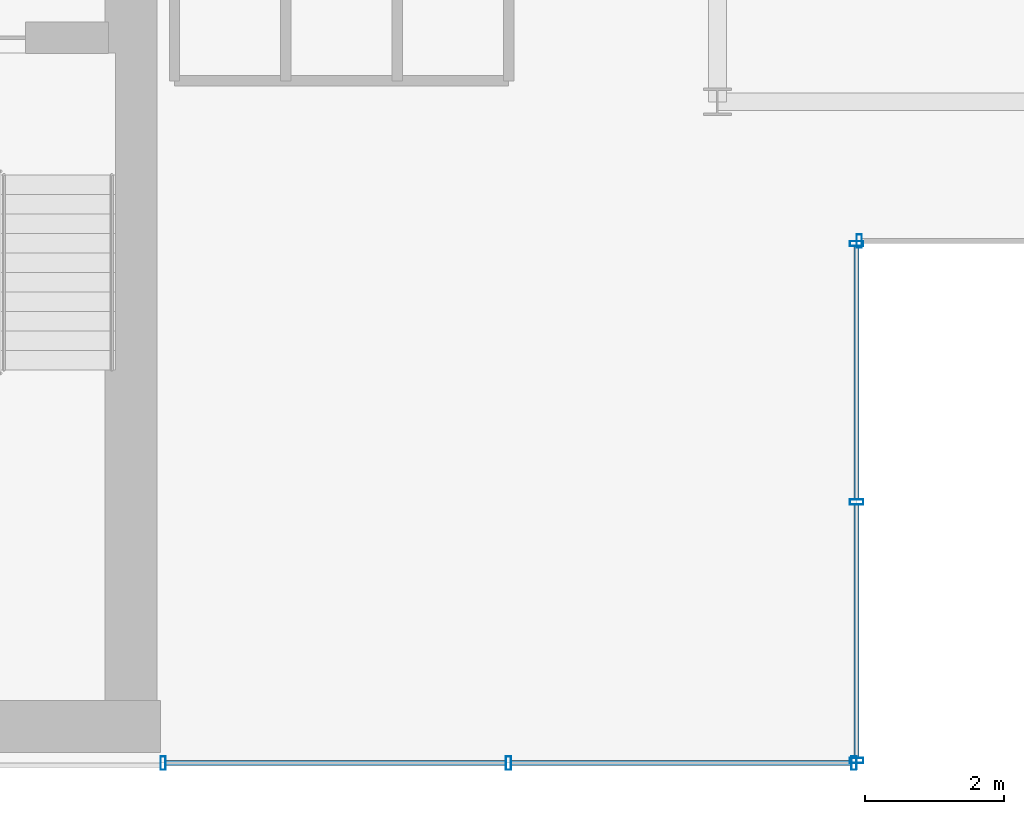
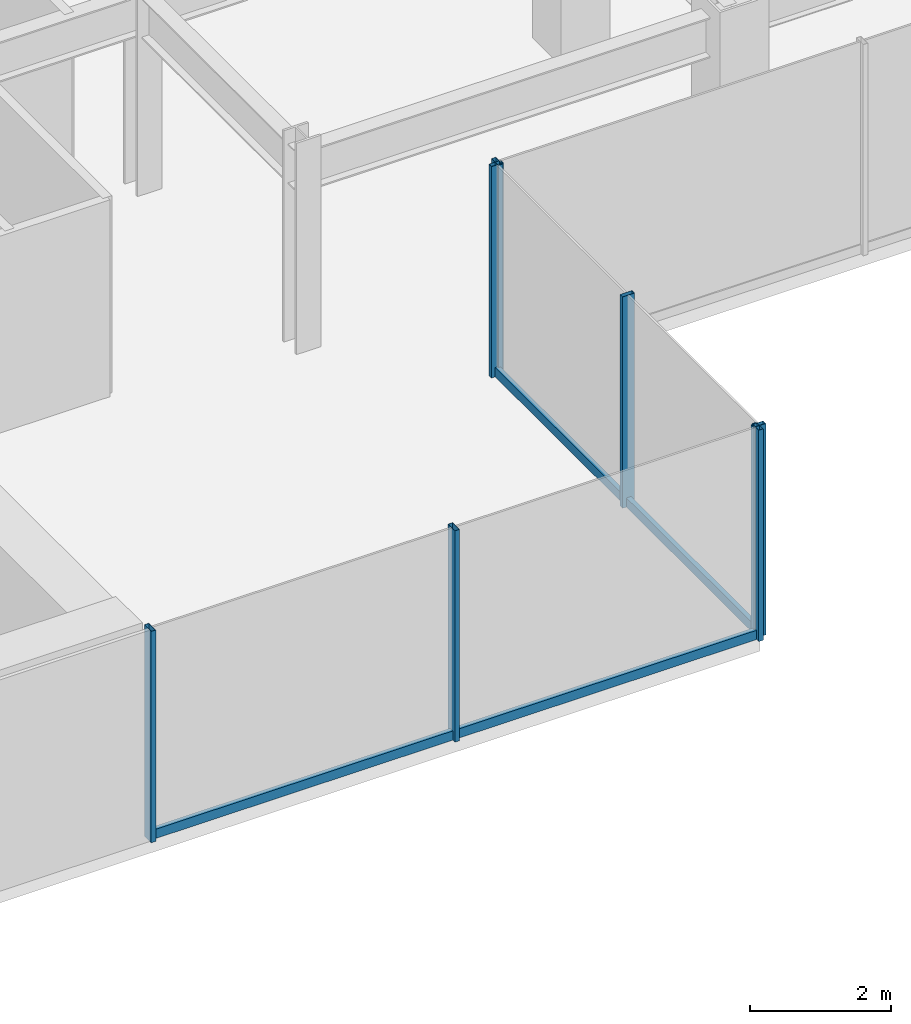
# One storey, part 8 of 26: 11 members, 3 elements without a shape of their own.
"""IFC4 building model written with IfcOpenShell, lengths in metres."""

import ifcopenshell
import ifcopenshell.guid

model = None  # the IFC model being written
_history = None  # IfcOwnerHistory: only IFC2X3 demands one
_inside = {}  # id of a spatial element -> (the spatial element, [elements in it])
_under = {}  # id of a project, library or spatial element -> (it, [spatial elements below it])
_declared = {}  # id of a project -> (the project, [libraries it declares])
_typed = {}  # id of a type object -> (the type object, [elements of that type])
_made_of = {}  # id of a material, layer set ... -> (it, [elements and type objects made of it])


def new_model(schema):
    """Start an empty IFC model of exactly this schema.

    Asked for "IFC4X3", IfcOpenShell would pick the latest addendum, in which some entities
    have other attributes; the version numbers below select the first issue.
    IFC2X3 requires an IfcOwnerHistory on every rooted entity: one is made here for all.
    """
    global model, _history
    if schema == "IFC4X3":
        model = ifcopenshell.file(schema_version=(4, 3, 0, 0))
    else:
        model = ifcopenshell.file(schema=schema)
    _inside.clear()
    _under.clear()
    _declared.clear()
    _typed.clear()
    _made_of.clear()
    _history = None
    if model.schema == "IFC2X3":
        org = make("IfcOrganization", Name="unknown")
        user = make(
            "IfcPersonAndOrganization",
            ThePerson=make("IfcPerson", FamilyName="unknown"),
            TheOrganization=org,
        )
        app = make(
            "IfcApplication",
            ApplicationDeveloper=org,
            Version="unknown",
            ApplicationFullName="unknown",
            ApplicationIdentifier="unknown",
        )
        _history = make(
            "IfcOwnerHistory",
            OwningUser=user,
            OwningApplication=app,
            ChangeAction="ADDED",
            CreationDate=0,
        )
    return model


def make(cls, **values):
    """One entity of the class cls with the attributes given. An attribute that is None is left unset."""
    return model.create_entity(
        cls, **{name: value for name, value in values.items() if value is not None}
    )


def rooted(cls, **values):
    """An entity with a GlobalId (a new one), such as an element, a storey or a relation."""
    return make(cls, GlobalId=ifcopenshell.guid.new(), OwnerHistory=_history, **values)


def si_unit(unit_type, name, prefix=None):
    """IfcSIUnit, for example si_unit("LENGTHUNIT", "METRE", prefix="MILLI")."""
    return make("IfcSIUnit", UnitType=unit_type, Prefix=prefix, Name=name)


def derived_unit(unit_type, elements):
    """IfcDerivedUnit: a product of units, each with its exponent."""
    return make(
        "IfcDerivedUnit",
        Elements=[
            make("IfcDerivedUnitElement", Unit=unit, Exponent=power)
            for unit, power in elements
        ],
        UnitType=unit_type,
    )


def assignment(units):
    """IfcUnitAssignment: the units of a project."""
    return None if units is None else make("IfcUnitAssignment", Units=units)


def point(xyz):
    """IfcCartesianPoint."""
    return None if xyz is None else make("IfcCartesianPoint", Coordinates=xyz)


def direction(xyz):
    """IfcDirection."""
    return None if xyz is None else make("IfcDirection", DirectionRatios=xyz)


def frame(location, z_axis=None, x_axis=None):
    """IfcAxis2Placement3D, a coordinate frame: its origin and axes. An axis left out is left unset."""
    return make(
        "IfcAxis2Placement3D",
        Location=point(location),
        Axis=direction(z_axis),
        RefDirection=direction(x_axis),
    )


def frame_2d(location, x_axis=None):
    """IfcAxis2Placement2D, a coordinate frame in the plane: its origin and x axis."""
    return make(
        "IfcAxis2Placement2D", Location=point(location), RefDirection=direction(x_axis)
    )


def origin():
    """The frame at (0, 0, 0) with its axes left unset."""
    return frame((0.0, 0.0, 0.0))


def origin_2d():
    """The frame at (0, 0) in the plane with its x axis left unset."""
    return frame_2d((0.0, 0.0))


def place(relative_to, where):
    """IfcLocalPlacement: puts the frame where relative to a parent placement (None: the world)."""
    return make(
        "IfcLocalPlacement", PlacementRelTo=relative_to, RelativePlacement=where
    )


def context(
    kind, dimensions, precision=None, world=None, true_north=None, identifier=None
):
    """IfcGeometricRepresentationContext, for example the 3D "Model" context."""
    return make(
        "IfcGeometricRepresentationContext",
        ContextIdentifier=identifier,
        ContextType=kind,
        CoordinateSpaceDimension=dimensions,
        Precision=precision,
        WorldCoordinateSystem=world,
        TrueNorth=true_north,
    )


def subcontext(parent, identifier, kind, view, scale=None):
    """IfcGeometricRepresentationSubContext, for example "Body" below "Model"."""
    return make(
        "IfcGeometricRepresentationSubContext",
        ContextIdentifier=identifier,
        ContextType=kind,
        ParentContext=parent,
        TargetScale=scale,
        TargetView=view,
    )


def project(units=None, contexts=None):
    """IfcProject with its units and contexts."""
    return rooted(
        "IfcProject",
        Name="project",
        RepresentationContexts=contexts,
        UnitsInContext=assignment(units),
    )


def spatial(cls, under=None, at=None, **own):
    """A site, building, storey or space (cls), placed at a placement, below another one or the project."""
    s = rooted(cls, ObjectPlacement=at, **own)
    if under is not None:
        _under.setdefault(under.id(), (under, []))[1].append(s)
    return s


def profile(cls, at=None, kind="AREA", **sizes):
    """A parametric profile (cls). Its sizes go by their IFC names, for example OverallWidth=200.0."""
    return make(cls, ProfileType=kind, Position=at, **sizes)


def hollow_rectangle(**sizes):
    """IfcRectangleHollowProfileDef."""
    return profile("IfcRectangleHollowProfileDef", **sizes)


def extrude(swept, where, along, depth):
    """IfcExtrudedAreaSolid: the profile swept, set in the frame where, extruded along a direction by depth."""
    return make(
        "IfcExtrudedAreaSolid",
        SweptArea=swept,
        Position=where,
        ExtrudedDirection=direction(along),
        Depth=depth,
    )


def shape(context_of_items, identifier, shape_type, items):
    """IfcShapeRepresentation: the items that make up one representation, for example the "Body"."""
    return make(
        "IfcShapeRepresentation",
        ContextOfItems=context_of_items,
        RepresentationIdentifier=identifier,
        RepresentationType=shape_type,
        Items=items,
    )


def source(mapping_origin, context_of_items, identifier, shape_type, items):
    """IfcRepresentationMap: a shape defined once, which mapped items show again and again."""
    return make(
        "IfcRepresentationMap",
        MappingOrigin=mapping_origin,
        MappedRepresentation=shape(context_of_items, identifier, shape_type, items),
    )


def transform(
    local_origin,
    x_axis=None,
    y_axis=None,
    z_axis=None,
    scale=None,
    scale2=None,
    scale3=None,
    uniform=True,
):
    """IfcCartesianTransformationOperator3D, or its non-uniform kind. x_axis, y_axis, z_axis: its Axis1, 2, 3."""
    if uniform:
        return make(
            "IfcCartesianTransformationOperator3D",
            Axis1=direction(x_axis),
            Axis2=direction(y_axis),
            LocalOrigin=point(local_origin),
            Scale=scale,
            Axis3=direction(z_axis),
        )
    return make(
        "IfcCartesianTransformationOperator3DnonUniform",
        Axis1=direction(x_axis),
        Axis2=direction(y_axis),
        LocalOrigin=point(local_origin),
        Scale=scale,
        Axis3=direction(z_axis),
        Scale2=scale2,
        Scale3=scale3,
    )


def mapped(mapping_source, mapping_target):
    """IfcMappedItem: shows the shape of a source again, moved by a transform."""
    return make(
        "IfcMappedItem", MappingSource=mapping_source, MappingTarget=mapping_target
    )


def material(Name=None, Category=None):
    """IfcMaterial."""
    return make("IfcMaterial", Name=Name, Category=Category)


def material_profile(
    of_material, cross_section, Name=None, Category=None, Priority=None
):
    """IfcMaterialProfile: a cross section and its material."""
    return make(
        "IfcMaterialProfile",
        Name=Name,
        Material=of_material,
        Profile=cross_section,
        Priority=Priority,
        Category=Category,
    )


def profile_set(profiles, Name=None, composite=None):
    """IfcMaterialProfileSet."""
    return make(
        "IfcMaterialProfileSet",
        Name=Name,
        MaterialProfiles=profiles,
        CompositeProfile=composite,
    )


def made_of(thing, what):
    """Note that an element or type object is made of a material, layer set ...; save() writes the relation."""
    if what is not None:
        _made_of.setdefault(what.id(), (what, []))[1].append(thing)
    return thing


def type_object(cls, material=None, **own):
    """A type object (cls), such as IfcWallType, which elements share."""
    return made_of(rooted(cls, **own), material)


def element(
    cls,
    number,
    at=None,
    inside=None,
    cuts=None,
    type_object=None,
    material=None,
    context=None,
    identifier="Body",
    shape_type=None,
    held_by="IfcProductDefinitionShape",
    body=None,
    shapes=None,
    **own,
):
    """One element of the class cls, such as IfcWall. Its Tag is "e" and its number.

    at: its placement. inside: the storey or other place that contains it. cuts: it is an
    opening in that element (IfcRelVoidsElement). A single representation is given by context,
    identifier, shape_type and body (its items); several are given by shapes. held_by: the class
    of the entity that holds the representations. save() writes the other relations.
    """
    e = rooted(cls, Tag="e%d" % number, ObjectPlacement=at, **own)
    if body is not None:
        shapes = [shape(context, identifier, shape_type, body)]
    if shapes is not None:
        e.Representation = make(held_by, Representations=shapes)
    if inside is not None:
        _inside.setdefault(inside.id(), (inside, []))[1].append(e)
    if cuts is not None:
        rooted(
            "IfcRelVoidsElement", RelatingBuildingElement=cuts, RelatedOpeningElement=e
        )
    if type_object is not None:
        _typed.setdefault(type_object.id(), (type_object, []))[1].append(e)
    return made_of(e, material)


def aggregate(whole, parts):
    """IfcRelAggregates: a whole, such as a stair, and the parts it consists of."""
    return rooted("IfcRelAggregates", RelatingObject=whole, RelatedObjects=parts)


def save(model, path):
    """Write the relations noted so far, then the file.

    IfcRelAggregates (storeys below a building ...), IfcRelContainedInSpatialStructure (elements
    in a storey), IfcRelDefinesByType, IfcRelAssociatesMaterial and IfcRelDeclares: one each for
    every whole, place, type object, material and project.
    """
    for whole, parts in _under.values():
        aggregate(whole, parts)
    for where, things in _inside.values():
        rooted(
            "IfcRelContainedInSpatialStructure",
            RelatedElements=things,
            RelatingStructure=where,
        )
    for kind, things in _typed.values():
        rooted("IfcRelDefinesByType", RelatedObjects=things, RelatingType=kind)
    for what, things in _made_of.values():
        rooted("IfcRelAssociatesMaterial", RelatedObjects=things, RelatingMaterial=what)
    for by, libraries in _declared.values():
        rooted("IfcRelDeclares", RelatingContext=by, RelatedDefinitions=libraries)
    model.write(path)


model = new_model("IFC4")

# Units and contexts
model_context = context("Model", 3, precision=1e-05, world=origin(), true_north=direction((0.0, 1.0)))
body_context = subcontext(model_context, "Body", "Model", "MODEL_VIEW")
ifc_project = project(units=[si_unit("LENGTHUNIT", "METRE"), si_unit("AREAUNIT", "SQUARE_METRE"), si_unit("VOLUMEUNIT", "CUBIC_METRE"), si_unit("PLANEANGLEUNIT", "RADIAN"), si_unit("MASSUNIT", "GRAM", prefix="KILO"), derived_unit("THERMALTRANSMITTANCEUNIT", [(si_unit("POWERUNIT", "WATT"), 1), (si_unit("LENGTHUNIT", "METRE"), -2), (si_unit("THERMODYNAMICTEMPERATUREUNIT", "KELVIN"), -1)])], contexts=[model_context])

# Site, building, storey
site_placement = place(None, origin())
site = spatial("IfcSite", under=ifc_project, at=site_placement, CompositionType="ELEMENT")
building_placement = place(site_placement, origin())
building = spatial("IfcBuilding", under=site, at=building_placement, Name="Skarnbrae Concourse Arena and Tower", CompositionType="ELEMENT")
storey_placement = place(building_placement, frame((0.0, 0.0, 110.550048828125)))
storey = spatial("IfcBuildingStorey", under=building, at=storey_placement, Name="L27", CompositionType="ELEMENT", Elevation=110.550048828125)

# Curtain wall, members
ifc_material = material(Name="Bronze anodised aluminium 6063-T6", Category="aluminium")
curtain_wall_type = type_object("IfcCurtainWallType", Name="CW-SYS-04-MIDZONE", PredefinedType="USERDEFINED", material=ifc_material)
curtain_wall_1_placement = place(storey_placement, origin())
curtain_wall_1 = element("IfcCurtainWall", 1, at=curtain_wall_1_placement, inside=storey, type_object=curtain_wall_type, Name="L27 Unitised curtain wall CW-L27-SE-SPINE", ObjectType="UNITISED CURTAIN WALL", PredefinedType="USERDEFINED")
ifc_material_profile_1 = material_profile(ifc_material, hollow_rectangle(XDim=0.074951171875, YDim=0.159912109375, WallThickness=0.00439453125, at=origin_2d()), Name="ALU-TRAN-75X160")
ifc_profile_set_1 = profile_set([ifc_material_profile_1], Name="Bronze anodised aluminium 6063-T6")
member_type_1 = type_object("IfcMemberType", Name="CWT-CW-04", PredefinedType="USERDEFINED", material=ifc_profile_set_1)
shared_shape_1 = source(origin(), body_context, "Body", "SweptSolid", [
    extrude(hollow_rectangle(XDim=0.074951171875, YDim=0.159912109375, WallThickness=0.00439453125, at=origin_2d()), origin(), (0.0, 0.0, 1.0), 4.887451171875),
])
member_1_placement = place(storey_placement, frame((34.074951171875, 0.0, 0.079833984375), z_axis=(1.0, 0.0, 0.0), x_axis=(0.0, 1.0, 0.0)))
member_1 = element("IfcMember", 2, at=member_1_placement, type_object=member_type_1, Name="CW-L27-SE-SPINE Transom 1", ObjectType="TRANSOM", PredefinedType="USERDEFINED", context=body_context, shape_type="MappedRepresentation", body=[
    mapped(shared_shape_1, transform((0.0, 0.0, 0.0))),
])
member_2_placement = place(storey_placement, frame((39.03759765625, 0.0, 0.079833984375), z_axis=(1.0, 0.0, 0.0), x_axis=(0.0, 1.0, 0.0)))
member_2 = element("IfcMember", 3, at=member_2_placement, type_object=member_type_1, Name="CW-L27-SE-SPINE Transom 2", ObjectType="TRANSOM", PredefinedType="USERDEFINED", context=body_context, shape_type="MappedRepresentation", body=[
    mapped(shared_shape_1, transform((0.0, 0.0, 0.0))),
])

curtain_wall_2_placement = place(storey_placement, origin())
curtain_wall_2 = element("IfcCurtainWall", 4, at=curtain_wall_2_placement, inside=storey, type_object=curtain_wall_type, Name="L27 Unitised curtain wall CW-L27-E02", ObjectType="UNITISED CURTAIN WALL", PredefinedType="USERDEFINED")
shared_shape_2 = source(origin(), body_context, "Body", "SweptSolid", [
    extrude(hollow_rectangle(XDim=0.074951171875, YDim=0.159912109375, WallThickness=0.00439453125, at=origin_2d()), origin(), (0.0, 0.0, 1.0), 3.637451171875),
])
member_3_placement = place(storey_placement, frame((44.0, 0.074951171875, 0.079833984375), z_axis=(0.0, 1.0, 0.0), x_axis=(-1.0, 0.0, 0.0)))
member_3 = element("IfcMember", 5, at=member_3_placement, type_object=member_type_1, Name="CW-L27-E02 Transom 1", ObjectType="TRANSOM", PredefinedType="USERDEFINED", context=body_context, shape_type="MappedRepresentation", body=[
    mapped(shared_shape_2, transform((0.0, 0.0, 0.0))),
])
member_4_placement = place(storey_placement, frame((44.0, 3.78759765625, 0.079833984375), z_axis=(0.0, 1.0, 0.0), x_axis=(-1.0, 0.0, 0.0)))
member_4 = element("IfcMember", 6, at=member_4_placement, type_object=member_type_1, Name="CW-L27-E02 Transom 2", ObjectType="TRANSOM", PredefinedType="USERDEFINED", context=body_context, shape_type="MappedRepresentation", body=[
    mapped(shared_shape_2, transform((0.0, 0.0, 0.0))),
])

# Member
ifc_material_profile_2 = material_profile(ifc_material, hollow_rectangle(XDim=0.074951171875, YDim=0.195068359375, WallThickness=0.00439453125, at=origin_2d()), Name="ALU-MULL-75X195")
ifc_profile_set_2 = profile_set([ifc_material_profile_2], Name="Bronze anodised aluminium 6063-T6")
member_type_2 = type_object("IfcMemberType", Name="CWM-CW-04", PredefinedType="MULLION", material=ifc_profile_set_2)
shared_shape_3 = source(origin(), body_context, "Body", "SweptSolid", [
    extrude(hollow_rectangle(XDim=0.074951171875, YDim=0.195068359375, WallThickness=0.00439453125, at=origin_2d()), origin(), (0.0, 0.0, 1.0), 3.64990234375),
])
member_5_placement = place(storey_placement, frame((34.03759765625, 0.0, 0.0), z_axis=(0.0, 0.0, 1.0), x_axis=(1.0, 0.0, 0.0)))
member_5 = element("IfcMember", 7, at=member_5_placement, type_object=member_type_2, Name="CW-L27-SE-SPINE Mullion 1", PredefinedType="MULLION", context=body_context, shape_type="MappedRepresentation", body=[
    mapped(shared_shape_3, transform((0.0, 0.0, 0.0))),
])

member_6_placement = place(storey_placement, frame((39.0, 0.0, 0.0), z_axis=(0.0, 0.0, 1.0), x_axis=(1.0, 0.0, 0.0)))
member_6 = element("IfcMember", 8, at=member_6_placement, type_object=member_type_2, Name="CW-L27-SE-SPINE Mullion 2", PredefinedType="MULLION", context=body_context, shape_type="MappedRepresentation", body=[
    mapped(shared_shape_3, transform((0.0, 0.0, 0.0))),
])

member_7_placement = place(storey_placement, frame((43.96240234375, 0.0, 0.0), z_axis=(0.0, 0.0, 1.0), x_axis=(1.0, 0.0, 0.0)))
member_7 = element("IfcMember", 9, at=member_7_placement, type_object=member_type_2, Name="CW-L27-SE-SPINE Mullion 3", PredefinedType="MULLION", context=body_context, shape_type="MappedRepresentation", body=[
    mapped(shared_shape_3, transform((0.0, 0.0, 0.0))),
])

aggregate(curtain_wall_1, [member_5, member_6, member_7, member_1, member_2])

member_8_placement = place(storey_placement, frame((44.0, 0.03759765625, 0.0), z_axis=(0.0, 0.0, 1.0), x_axis=(0.0, 1.0, 0.0)))
member_8 = element("IfcMember", 10, at=member_8_placement, type_object=member_type_2, Name="CW-L27-E02 Mullion 1", PredefinedType="MULLION", context=body_context, shape_type="MappedRepresentation", body=[
    mapped(shared_shape_3, transform((0.0, 0.0, 0.0))),
])

member_9_placement = place(storey_placement, frame((44.0, 3.75, 0.0), z_axis=(0.0, 0.0, 1.0), x_axis=(0.0, 1.0, 0.0)))
member_9 = element("IfcMember", 11, at=member_9_placement, type_object=member_type_2, Name="CW-L27-E02 Mullion 2", PredefinedType="MULLION", context=body_context, shape_type="MappedRepresentation", body=[
    mapped(shared_shape_3, transform((0.0, 0.0, 0.0))),
])

member_10_placement = place(storey_placement, frame((44.0, 7.46240234375, 0.0), z_axis=(0.0, 0.0, 1.0), x_axis=(0.0, 1.0, 0.0)))
member_10 = element("IfcMember", 12, at=member_10_placement, type_object=member_type_2, Name="CW-L27-E02 Mullion 3", PredefinedType="MULLION", context=body_context, shape_type="MappedRepresentation", body=[
    mapped(shared_shape_3, transform((0.0, 0.0, 0.0))),
])

aggregate(curtain_wall_2, [member_8, member_9, member_10, member_3, member_4])

# Curtain wall, member
curtain_wall_3_placement = place(storey_placement, origin())
curtain_wall_3 = element("IfcCurtainWall", 13, at=curtain_wall_3_placement, inside=storey, type_object=curtain_wall_type, Name="L27 Unitised curtain wall CW-L27-E03", ObjectType="UNITISED CURTAIN WALL", PredefinedType="USERDEFINED")
member_11_placement = place(storey_placement, frame((44.03759765625, 7.5, 0.0), z_axis=(0.0, 0.0, 1.0), x_axis=(1.0, 0.0, 0.0)))
member_11 = element("IfcMember", 14, at=member_11_placement, type_object=member_type_2, Name="CW-L27-E03 Mullion 1", PredefinedType="MULLION", context=body_context, shape_type="MappedRepresentation", body=[
    mapped(shared_shape_3, transform((0.0, 0.0, 0.0))),
])
aggregate(curtain_wall_3, [member_11])

save(model, "model.ifc")
